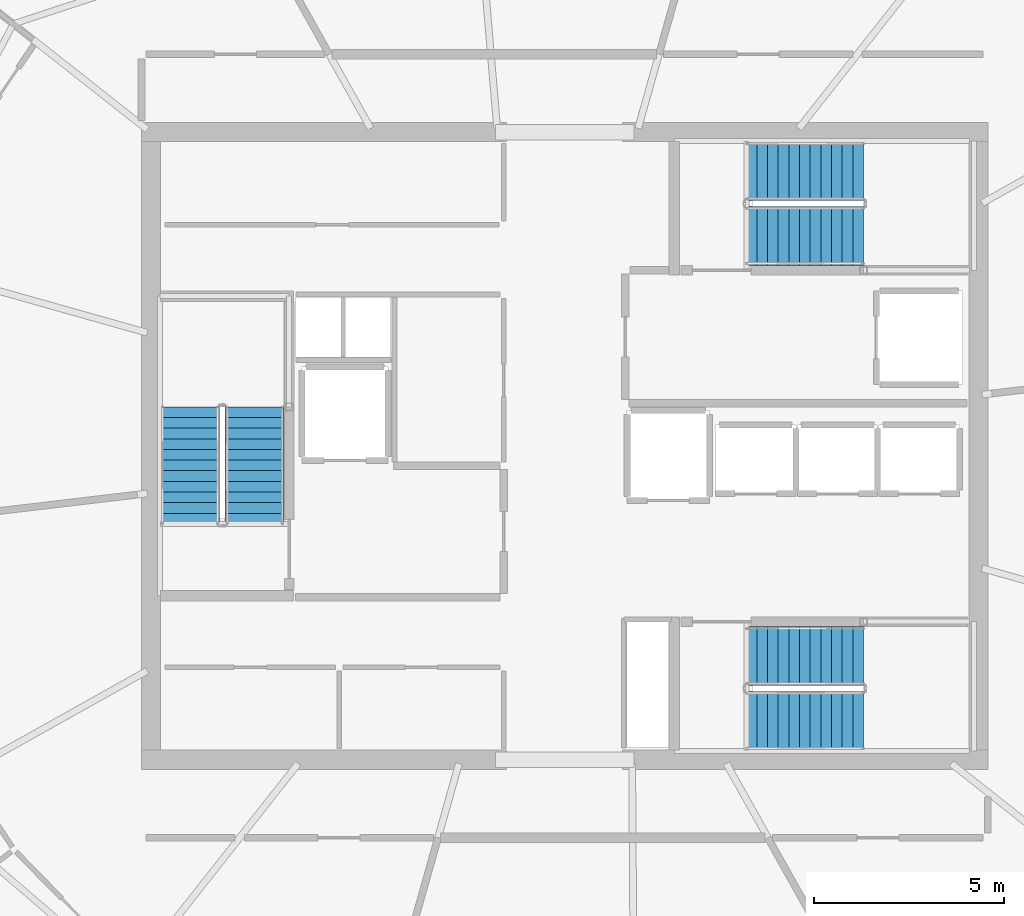
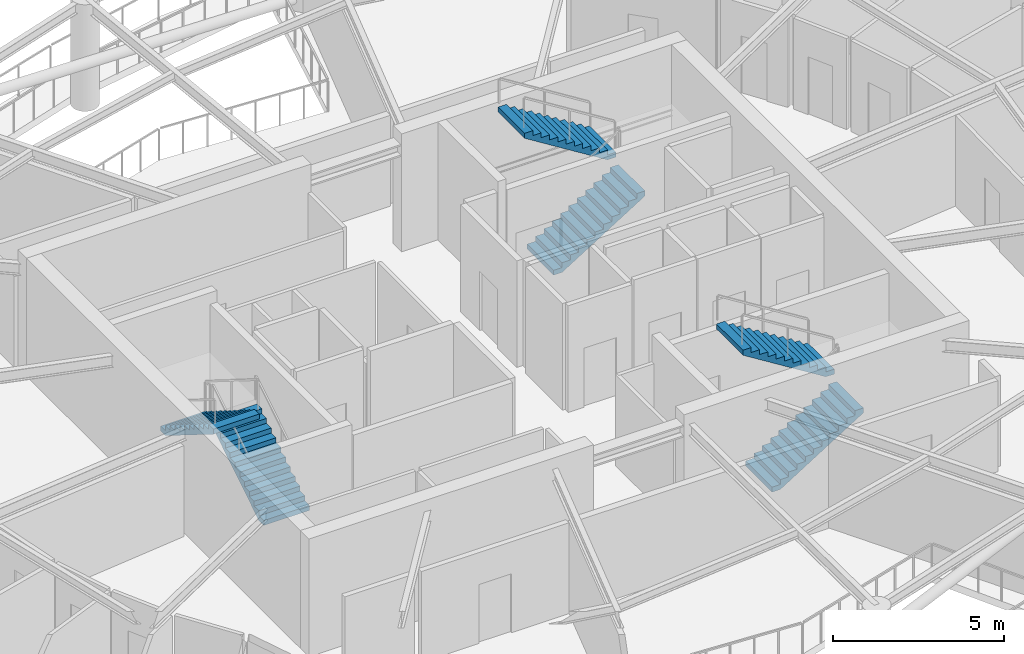
# One storey, part 16 of 21: 6 stair flights, 3 elements without a shape of their own.
"""IFC4 building model written with IfcOpenShell, lengths in metres."""

import ifcopenshell
import ifcopenshell.guid

model = None  # the IFC model being written
_history = None  # IfcOwnerHistory: only IFC2X3 demands one
_inside = {}  # id of a spatial element -> (the spatial element, [elements in it])
_under = {}  # id of a project, library or spatial element -> (it, [spatial elements below it])
_declared = {}  # id of a project -> (the project, [libraries it declares])
_typed = {}  # id of a type object -> (the type object, [elements of that type])
_made_of = {}  # id of a material, layer set ... -> (it, [elements and type objects made of it])


def new_model(schema):
    """Start an empty IFC model of exactly this schema.

    Asked for "IFC4X3", IfcOpenShell would pick the latest addendum, in which some entities
    have other attributes; the version numbers below select the first issue.
    IFC2X3 requires an IfcOwnerHistory on every rooted entity: one is made here for all.
    """
    global model, _history
    if schema == "IFC4X3":
        model = ifcopenshell.file(schema_version=(4, 3, 0, 0))
    else:
        model = ifcopenshell.file(schema=schema)
    _inside.clear()
    _under.clear()
    _declared.clear()
    _typed.clear()
    _made_of.clear()
    _history = None
    if model.schema == "IFC2X3":
        org = make("IfcOrganization", Name="unknown")
        user = make(
            "IfcPersonAndOrganization",
            ThePerson=make("IfcPerson", FamilyName="unknown"),
            TheOrganization=org,
        )
        app = make(
            "IfcApplication",
            ApplicationDeveloper=org,
            Version="unknown",
            ApplicationFullName="unknown",
            ApplicationIdentifier="unknown",
        )
        _history = make(
            "IfcOwnerHistory",
            OwningUser=user,
            OwningApplication=app,
            ChangeAction="ADDED",
            CreationDate=0,
        )
    return model


def make(cls, **values):
    """One entity of the class cls with the attributes given. An attribute that is None is left unset."""
    return model.create_entity(
        cls, **{name: value for name, value in values.items() if value is not None}
    )


def rooted(cls, **values):
    """An entity with a GlobalId (a new one), such as an element, a storey or a relation."""
    return make(cls, GlobalId=ifcopenshell.guid.new(), OwnerHistory=_history, **values)


def si_unit(unit_type, name, prefix=None):
    """IfcSIUnit, for example si_unit("LENGTHUNIT", "METRE", prefix="MILLI")."""
    return make("IfcSIUnit", UnitType=unit_type, Prefix=prefix, Name=name)


def assignment(units):
    """IfcUnitAssignment: the units of a project."""
    return None if units is None else make("IfcUnitAssignment", Units=units)


def point(xyz):
    """IfcCartesianPoint."""
    return None if xyz is None else make("IfcCartesianPoint", Coordinates=xyz)


def direction(xyz):
    """IfcDirection."""
    return None if xyz is None else make("IfcDirection", DirectionRatios=xyz)


def frame(location, z_axis=None, x_axis=None):
    """IfcAxis2Placement3D, a coordinate frame: its origin and axes. An axis left out is left unset."""
    return make(
        "IfcAxis2Placement3D",
        Location=point(location),
        Axis=direction(z_axis),
        RefDirection=direction(x_axis),
    )


def origin():
    """The frame at (0, 0, 0) with its axes left unset."""
    return frame((0.0, 0.0, 0.0))


def place(relative_to, where):
    """IfcLocalPlacement: puts the frame where relative to a parent placement (None: the world)."""
    return make(
        "IfcLocalPlacement", PlacementRelTo=relative_to, RelativePlacement=where
    )


def context(
    kind, dimensions, precision=None, world=None, true_north=None, identifier=None
):
    """IfcGeometricRepresentationContext, for example the 3D "Model" context."""
    return make(
        "IfcGeometricRepresentationContext",
        ContextIdentifier=identifier,
        ContextType=kind,
        CoordinateSpaceDimension=dimensions,
        Precision=precision,
        WorldCoordinateSystem=world,
        TrueNorth=true_north,
    )


def subcontext(parent, identifier, kind, view, scale=None):
    """IfcGeometricRepresentationSubContext, for example "Body" below "Model"."""
    return make(
        "IfcGeometricRepresentationSubContext",
        ContextIdentifier=identifier,
        ContextType=kind,
        ParentContext=parent,
        TargetScale=scale,
        TargetView=view,
    )


def project(units=None, contexts=None):
    """IfcProject with its units and contexts."""
    return rooted(
        "IfcProject",
        Name="project",
        RepresentationContexts=contexts,
        UnitsInContext=assignment(units),
    )


def spatial(cls, under=None, at=None, **own):
    """A site, building, storey or space (cls), placed at a placement, below another one or the project."""
    s = rooted(cls, ObjectPlacement=at, **own)
    if under is not None:
        _under.setdefault(under.id(), (under, []))[1].append(s)
    return s


def polyline(points):
    """IfcPolyline through the points."""
    return make("IfcPolyline", Points=[point(p) for p in points])


def outline(outer, holes=None, kind="AREA"):
    """IfcArbitraryClosedProfileDef: a profile drawn as a closed curve; with holes, ...WithVoids."""
    if holes is None:
        return make("IfcArbitraryClosedProfileDef", ProfileType=kind, OuterCurve=outer)
    return make(
        "IfcArbitraryProfileDefWithVoids",
        ProfileType=kind,
        OuterCurve=outer,
        InnerCurves=holes,
    )


def extrude(swept, where, along, depth):
    """IfcExtrudedAreaSolid: the profile swept, set in the frame where, extruded along a direction by depth."""
    return make(
        "IfcExtrudedAreaSolid",
        SweptArea=swept,
        Position=where,
        ExtrudedDirection=direction(along),
        Depth=depth,
    )


def shape(context_of_items, identifier, shape_type, items):
    """IfcShapeRepresentation: the items that make up one representation, for example the "Body"."""
    return make(
        "IfcShapeRepresentation",
        ContextOfItems=context_of_items,
        RepresentationIdentifier=identifier,
        RepresentationType=shape_type,
        Items=items,
    )


def material(Name=None, Category=None):
    """IfcMaterial."""
    return make("IfcMaterial", Name=Name, Category=Category)


def made_of(thing, what):
    """Note that an element or type object is made of a material, layer set ...; save() writes the relation."""
    if what is not None:
        _made_of.setdefault(what.id(), (what, []))[1].append(thing)
    return thing


def type_object(cls, material=None, **own):
    """A type object (cls), such as IfcWallType, which elements share."""
    return made_of(rooted(cls, **own), material)


def element(
    cls,
    number,
    at=None,
    inside=None,
    cuts=None,
    type_object=None,
    material=None,
    context=None,
    identifier="Body",
    shape_type=None,
    held_by="IfcProductDefinitionShape",
    body=None,
    shapes=None,
    **own,
):
    """One element of the class cls, such as IfcWall. Its Tag is "e" and its number.

    at: its placement. inside: the storey or other place that contains it. cuts: it is an
    opening in that element (IfcRelVoidsElement). A single representation is given by context,
    identifier, shape_type and body (its items); several are given by shapes. held_by: the class
    of the entity that holds the representations. save() writes the other relations.
    """
    e = rooted(cls, Tag="e%d" % number, ObjectPlacement=at, **own)
    if body is not None:
        shapes = [shape(context, identifier, shape_type, body)]
    if shapes is not None:
        e.Representation = make(held_by, Representations=shapes)
    if inside is not None:
        _inside.setdefault(inside.id(), (inside, []))[1].append(e)
    if cuts is not None:
        rooted(
            "IfcRelVoidsElement", RelatingBuildingElement=cuts, RelatedOpeningElement=e
        )
    if type_object is not None:
        _typed.setdefault(type_object.id(), (type_object, []))[1].append(e)
    return made_of(e, material)


def aggregate(whole, parts):
    """IfcRelAggregates: a whole, such as a stair, and the parts it consists of."""
    return rooted("IfcRelAggregates", RelatingObject=whole, RelatedObjects=parts)


def save(model, path):
    """Write the relations noted so far, then the file.

    IfcRelAggregates (storeys below a building ...), IfcRelContainedInSpatialStructure (elements
    in a storey), IfcRelDefinesByType, IfcRelAssociatesMaterial and IfcRelDeclares: one each for
    every whole, place, type object, material and project.
    """
    for whole, parts in _under.values():
        aggregate(whole, parts)
    for where, things in _inside.values():
        rooted(
            "IfcRelContainedInSpatialStructure",
            RelatedElements=things,
            RelatingStructure=where,
        )
    for kind, things in _typed.values():
        rooted("IfcRelDefinesByType", RelatedObjects=things, RelatingType=kind)
    for what, things in _made_of.values():
        rooted("IfcRelAssociatesMaterial", RelatedObjects=things, RelatingMaterial=what)
    for by, libraries in _declared.values():
        rooted("IfcRelDeclares", RelatingContext=by, RelatedDefinitions=libraries)
    model.write(path)


model = new_model("IFC4")

# Units and contexts
model_context = context("Model", 3, precision=1e-05, world=origin(), true_north=direction((0.0, 1.0)))
body_context = subcontext(model_context, "Body", "Model", "MODEL_VIEW")
ifc_project = project(units=[si_unit("LENGTHUNIT", "METRE"), si_unit("AREAUNIT", "SQUARE_METRE"), si_unit("VOLUMEUNIT", "CUBIC_METRE"), si_unit("PLANEANGLEUNIT", "RADIAN"), si_unit("MASSUNIT", "GRAM", prefix="KILO")], contexts=[model_context])

# Site, building, storey
site_placement = place(None, origin())
site = spatial("IfcSite", under=ifc_project, at=site_placement, CompositionType="ELEMENT")
building_placement = place(site_placement, origin())
building = spatial("IfcBuilding", under=site, at=building_placement, Name="Kazma Halo Residences", CompositionType="ELEMENT")
storey_placement = place(building_placement, frame((0.0, 0.0, 338.89990234375)))
storey = spatial("IfcBuildingStorey", under=building, at=storey_placement, Name="L85", CompositionType="ELEMENT", Elevation=338.89990234375)

# Stair, stair flights
ifc_material = material(Name="Concrete C50/60", Category="concrete")
stair_type = type_object("IfcStairType", Name="STR-RES2", PredefinedType="HALF_TURN_STAIR", material=ifc_material)
stair_1_placement = place(storey_placement, origin())
stair_1 = element("IfcStair", 1, at=stair_1_placement, inside=storey, type_object=stair_type, Name="L85 Core exit stair ST-01", PredefinedType="HALF_TURN_STAIR")
stair_flight_type = type_object("IfcStairFlightType", Name="STR-RES2-FLT", PredefinedType="STRAIGHT", material=ifc_material)
stair_flight_1_placement = place(storey_placement, frame((40.27490234375, 39.949951171875, 0.0), z_axis=(0.0, 0.0, 1.0), x_axis=(0.0, 1.0, 0.0)))
stair_flight_1 = element("IfcStairFlight", 2, at=stair_flight_1_placement, type_object=stair_flight_type, Name="ST-01 flight 1", NumberOfRisers=12, NumberOfTreads=11, PredefinedType="STRAIGHT", RiserHeight=0.175, TreadLength=0.28, context=body_context, shape_type="SweptSolid", body=[
    extrude(outline(polyline([(0.0, 0.0), (0.0, 0.175048828125), (0.280029296875, 0.175048828125), (0.280029296875, 0.35009765625), (0.56005859375, 0.35009765625), (0.56005859375, 0.52490234375), (0.840087890625, 0.52490234375), (0.840087890625, 0.699951171875), (1.1201171875, 0.699951171875), (1.1201171875, 0.875), (1.39990234375, 0.875), (1.39990234375, 1.050048828125), (1.679931640625, 1.050048828125), (1.679931640625, 1.22509765625), (1.9599609375, 1.22509765625), (1.9599609375, 1.39990234375), (2.239990234375, 1.39990234375), (2.239990234375, 1.574951171875), (2.52001953125, 1.574951171875), (2.52001953125, 1.75), (2.800048828125, 1.75), (2.800048828125, 1.925048828125), (3.080078125, 1.925048828125), (3.080078125, 2.10009765625), (3.080078125, 1.748291015625), (0.28271484375, 0.0), (0.0, 0.0)])), frame((0.0, 0.77490234375, 0.0), z_axis=(0.0, -1.0, 0.0), x_axis=(1.0, 0.0, 0.0)), (0.0, 0.0, 1.0), 1.550048828125),
])
stair_flight_2_placement = place(storey_placement, frame((38.574951171875, 43.030029296875, 2.10009765625), z_axis=(0.0, 0.0, 1.0), x_axis=(0.0, -1.0, 0.0)))
stair_flight_2 = element("IfcStairFlight", 3, at=stair_flight_2_placement, type_object=stair_flight_type, Name="ST-01 flight 2", NumberOfRisers=12, NumberOfTreads=11, PredefinedType="STRAIGHT", RiserHeight=0.175, TreadLength=0.28, context=body_context, shape_type="SweptSolid", body=[
    extrude(outline(polyline([(0.0, 0.0), (0.0, 0.175048828125), (0.280029296875, 0.175048828125), (0.280029296875, 0.35009765625), (0.56005859375, 0.35009765625), (0.56005859375, 0.52490234375), (0.840087890625, 0.52490234375), (0.840087890625, 0.699951171875), (1.1201171875, 0.699951171875), (1.1201171875, 0.875), (1.39990234375, 0.875), (1.39990234375, 1.050048828125), (1.679931640625, 1.050048828125), (1.679931640625, 1.22509765625), (1.9599609375, 1.22509765625), (1.9599609375, 1.39990234375), (2.239990234375, 1.39990234375), (2.239990234375, 1.574951171875), (2.52001953125, 1.574951171875), (2.52001953125, 1.75), (2.800048828125, 1.75), (2.800048828125, 1.925048828125), (3.080078125, 1.925048828125), (3.080078125, 2.10009765625), (3.080078125, 1.748291015625), (0.28271484375, 0.0), (0.0, 0.0)])), frame((0.0, 0.77490234375, 0.0), z_axis=(0.0, -1.0, 0.0), x_axis=(1.0, 0.0, 0.0)), (0.0, 0.0, 1.0), 1.550048828125),
])
aggregate(stair_1, [stair_flight_1, stair_flight_2])

stair_2_placement = place(storey_placement, origin())
stair_2 = element("IfcStair", 4, at=stair_2_placement, inside=storey, type_object=stair_type, Name="L85 Core exit stair ST-02", PredefinedType="HALF_TURN_STAIR")
stair_flight_3_placement = place(storey_placement, frame((53.199951171875, 47.52490234375, 0.0), z_axis=(0.0, 0.0, 1.0), x_axis=(1.0, 0.0, 0.0)))
stair_flight_3 = element("IfcStairFlight", 5, at=stair_flight_3_placement, type_object=stair_flight_type, Name="ST-02 flight 1", NumberOfRisers=12, NumberOfTreads=11, PredefinedType="STRAIGHT", RiserHeight=0.175, TreadLength=0.28, context=body_context, shape_type="SweptSolid", body=[
    extrude(outline(polyline([(0.0, 0.0), (0.0, 0.175048828125), (0.280029296875, 0.175048828125), (0.280029296875, 0.35009765625), (0.56005859375, 0.35009765625), (0.56005859375, 0.52490234375), (0.840087890625, 0.52490234375), (0.840087890625, 0.699951171875), (1.1201171875, 0.699951171875), (1.1201171875, 0.875), (1.39990234375, 0.875), (1.39990234375, 1.050048828125), (1.679931640625, 1.050048828125), (1.679931640625, 1.22509765625), (1.9599609375, 1.22509765625), (1.9599609375, 1.39990234375), (2.239990234375, 1.39990234375), (2.239990234375, 1.574951171875), (2.52001953125, 1.574951171875), (2.52001953125, 1.75), (2.800048828125, 1.75), (2.800048828125, 1.925048828125), (3.080078125, 1.925048828125), (3.080078125, 2.10009765625), (3.080078125, 1.748291015625), (0.28271484375, 0.0), (0.0, 0.0)])), frame((0.0, 0.77490234375, 0.0), z_axis=(0.0, -1.0, 0.0), x_axis=(1.0, 0.0, 0.0)), (0.0, 0.0, 1.0), 1.550048828125),
])
stair_flight_4_placement = place(storey_placement, frame((56.280029296875, 49.22509765625, 2.10009765625), z_axis=(0.0, 0.0, 1.0), x_axis=(-1.0, 0.0, 0.0)))
stair_flight_4 = element("IfcStairFlight", 6, at=stair_flight_4_placement, type_object=stair_flight_type, Name="ST-02 flight 2", NumberOfRisers=12, NumberOfTreads=11, PredefinedType="STRAIGHT", RiserHeight=0.175, TreadLength=0.28, context=body_context, shape_type="SweptSolid", body=[
    extrude(outline(polyline([(0.0, 0.0), (0.0, 0.175048828125), (0.280029296875, 0.175048828125), (0.280029296875, 0.35009765625), (0.56005859375, 0.35009765625), (0.56005859375, 0.52490234375), (0.840087890625, 0.52490234375), (0.840087890625, 0.699951171875), (1.1201171875, 0.699951171875), (1.1201171875, 0.875), (1.39990234375, 0.875), (1.39990234375, 1.050048828125), (1.679931640625, 1.050048828125), (1.679931640625, 1.22509765625), (1.9599609375, 1.22509765625), (1.9599609375, 1.39990234375), (2.239990234375, 1.39990234375), (2.239990234375, 1.574951171875), (2.52001953125, 1.574951171875), (2.52001953125, 1.75), (2.800048828125, 1.75), (2.800048828125, 1.925048828125), (3.080078125, 1.925048828125), (3.080078125, 2.10009765625), (3.080078125, 1.748291015625), (0.28271484375, 0.0), (0.0, 0.0)])), frame((0.0, 0.77490234375, 0.0), z_axis=(0.0, -1.0, 0.0), x_axis=(1.0, 0.0, 0.0)), (0.0, 0.0, 1.0), 1.550048828125),
])
aggregate(stair_2, [stair_flight_3, stair_flight_4])

stair_3_placement = place(storey_placement, origin())
stair_3 = element("IfcStair", 7, at=stair_3_placement, inside=storey, type_object=stair_type, Name="L85 Core exit stair ST-03", PredefinedType="HALF_TURN_STAIR")
stair_flight_5_placement = place(storey_placement, frame((53.199951171875, 34.77490234375, 0.0), z_axis=(0.0, 0.0, 1.0), x_axis=(1.0, 0.0, 0.0)))
stair_flight_5 = element("IfcStairFlight", 8, at=stair_flight_5_placement, type_object=stair_flight_type, Name="ST-03 flight 1", NumberOfRisers=12, NumberOfTreads=11, PredefinedType="STRAIGHT", RiserHeight=0.175, TreadLength=0.28, context=body_context, shape_type="SweptSolid", body=[
    extrude(outline(polyline([(0.0, 0.0), (0.0, 0.175048828125), (0.280029296875, 0.175048828125), (0.280029296875, 0.35009765625), (0.56005859375, 0.35009765625), (0.56005859375, 0.52490234375), (0.840087890625, 0.52490234375), (0.840087890625, 0.699951171875), (1.1201171875, 0.699951171875), (1.1201171875, 0.875), (1.39990234375, 0.875), (1.39990234375, 1.050048828125), (1.679931640625, 1.050048828125), (1.679931640625, 1.22509765625), (1.9599609375, 1.22509765625), (1.9599609375, 1.39990234375), (2.239990234375, 1.39990234375), (2.239990234375, 1.574951171875), (2.52001953125, 1.574951171875), (2.52001953125, 1.75), (2.800048828125, 1.75), (2.800048828125, 1.925048828125), (3.080078125, 1.925048828125), (3.080078125, 2.10009765625), (3.080078125, 1.748291015625), (0.28271484375, 0.0), (0.0, 0.0)])), frame((0.0, 0.77490234375, 0.0), z_axis=(0.0, -1.0, 0.0), x_axis=(1.0, 0.0, 0.0)), (0.0, 0.0, 1.0), 1.550048828125),
])
stair_flight_6_placement = place(storey_placement, frame((56.280029296875, 36.47509765625, 2.10009765625), z_axis=(0.0, 0.0, 1.0), x_axis=(-1.0, 0.0, 0.0)))
stair_flight_6 = element("IfcStairFlight", 9, at=stair_flight_6_placement, type_object=stair_flight_type, Name="ST-03 flight 2", NumberOfRisers=12, NumberOfTreads=11, PredefinedType="STRAIGHT", RiserHeight=0.175, TreadLength=0.28, context=body_context, shape_type="SweptSolid", body=[
    extrude(outline(polyline([(0.0, 0.0), (0.0, 0.175048828125), (0.280029296875, 0.175048828125), (0.280029296875, 0.35009765625), (0.56005859375, 0.35009765625), (0.56005859375, 0.52490234375), (0.840087890625, 0.52490234375), (0.840087890625, 0.699951171875), (1.1201171875, 0.699951171875), (1.1201171875, 0.875), (1.39990234375, 0.875), (1.39990234375, 1.050048828125), (1.679931640625, 1.050048828125), (1.679931640625, 1.22509765625), (1.9599609375, 1.22509765625), (1.9599609375, 1.39990234375), (2.239990234375, 1.39990234375), (2.239990234375, 1.574951171875), (2.52001953125, 1.574951171875), (2.52001953125, 1.75), (2.800048828125, 1.75), (2.800048828125, 1.925048828125), (3.080078125, 1.925048828125), (3.080078125, 2.10009765625), (3.080078125, 1.748291015625), (0.28271484375, 0.0), (0.0, 0.0)])), frame((0.0, 0.77490234375, 0.0), z_axis=(0.0, -1.0, 0.0), x_axis=(1.0, 0.0, 0.0)), (0.0, 0.0, 1.0), 1.550048828125),
])
aggregate(stair_3, [stair_flight_5, stair_flight_6])

save(model, "model.ifc")
